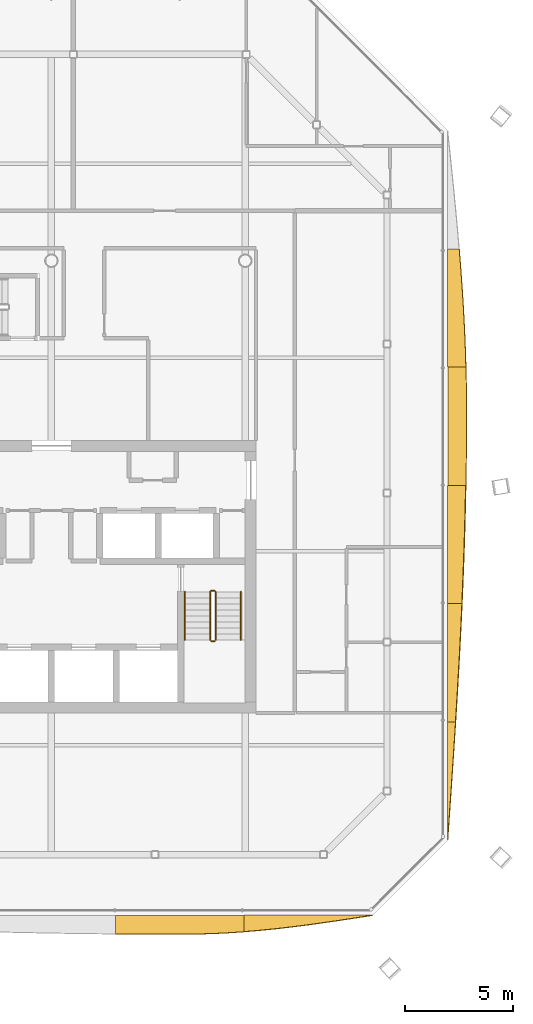
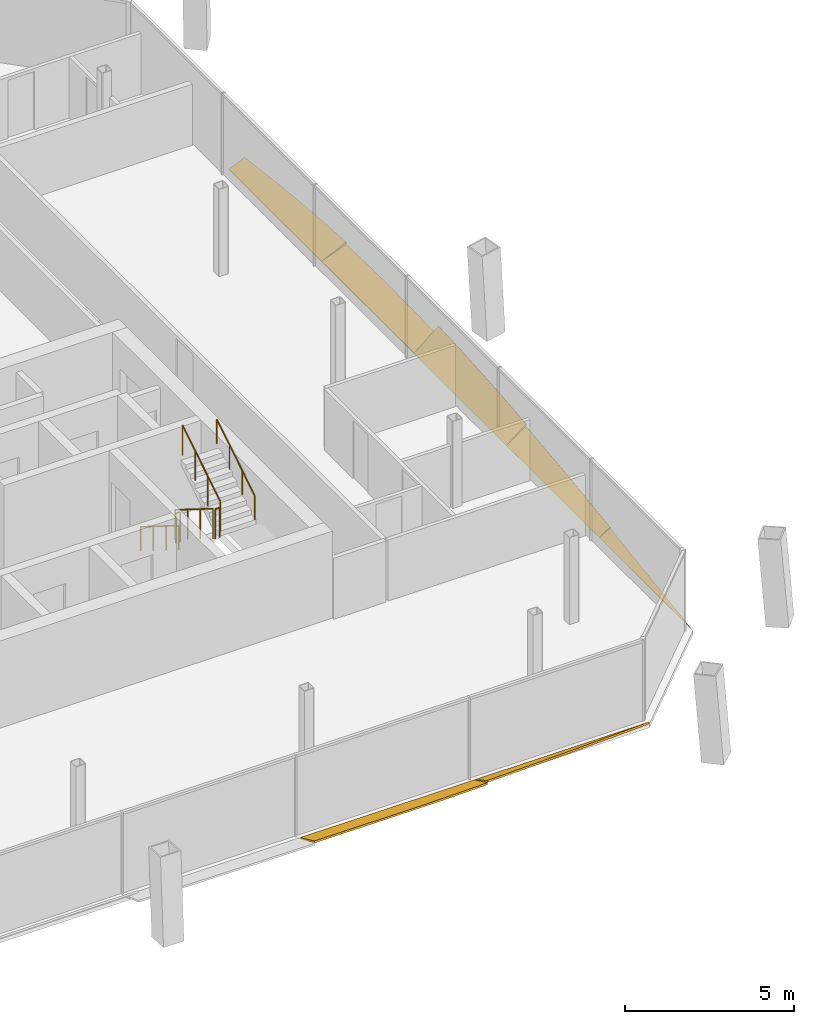
# One storey, part 19 of 20: 7 shading devices, 6 railings.
"""IFC4 building model written with IfcOpenShell, lengths in metres."""

from ifc_helpers import new_model, si_unit, direction, frame, origin, origin_2d, place, context, subcontext, project, spatial, polyline, circle, outline, extrude, material, layer, layer_set, type_object, element, save


model = new_model("IFC4")

# Units and contexts
model_context = context("Model", 3, precision=1e-05, world=origin(), true_north=direction((0.0, 1.0)))
body_context = subcontext(model_context, "Body", "Model", "MODEL_VIEW")
ifc_project = project(units=[si_unit("LENGTHUNIT", "METRE"), si_unit("AREAUNIT", "SQUARE_METRE"), si_unit("VOLUMEUNIT", "CUBIC_METRE"), si_unit("PLANEANGLEUNIT", "RADIAN"), si_unit("MASSUNIT", "GRAM", prefix="KILO")], contexts=[model_context])

# Site, building, storey
site_placement = place(None, origin())
site = spatial("IfcSite", under=ifc_project, at=site_placement, CompositionType="ELEMENT")
building_placement = place(site_placement, origin())
building = spatial("IfcBuilding", under=site, at=building_placement, Name="Tskaro Facet Tower", CompositionType="ELEMENT")
storey_placement = place(building_placement, frame((0.0, 0.0, 178.5)))
storey = spatial("IfcBuildingStorey", under=building, at=storey_placement, Name="L44", CompositionType="ELEMENT", Elevation=178.5)

# Shading devices
ifc_material_1 = material(Name="Bronze anodised aluminium 6063-T6", Category="aluminium")
ifc_layer = layer(ifc_material_1, 0.06005859375, Name="Bronze anodised aluminium 6063-T6")
ifc_layer_set = layer_set([ifc_layer], Name="Bronze anodised aluminium 6063-T6")
shading_device_type = type_object("IfcShadingDeviceType", Name="Bronze sun blade (FN1)", PredefinedType="USERDEFINED", material=ifc_layer_set)
shading_device_1_placement = place(storey_placement, frame((2.968017578125, -21.400634765625, 0.054443359375), z_axis=(-4.21624e-06, 0.422537060283, 0.90634564746), x_axis=(0.999999999991, 1.781518e-06, 3.821371e-06)))
element("IfcShadingDevice", 1, at=shading_device_1_placement, inside=storey, type_object=shading_device_type, Name="Fin blade south 5", ObjectType="FIN", PredefinedType="USERDEFINED", context=body_context, shape_type="SweptSolid", body=[
    extrude(outline(polyline([(0.0, 0.0), (5.968017578071954, 3.791330638848518e-21), (5.968017577877342, -0.8390601814939588), (5.2219238282844795, -0.8943249313763985), (4.476074218420532, -0.9338672483386296), (3.729980468838337, -0.9573477392569584), (3.055664062481291, -0.9643388114145779), (2.9838867187319287, -0.9643388114145779), (2.238037109237418, -0.9632473913192543), (1.4919433593636393, -0.9602975652881063), (0.746093750360589, -0.955489333321134), (-3.8962156723315644e-10, -0.9489408127491923), (0.0, 0.0)])), origin(), (0.0, 0.0, -1.0), 0.06005859375),
])
shading_device_2_placement = place(storey_placement, frame((8.93603515625, -21.39599609375, 0.052001953125), z_axis=(-1.3384997e-05, 0.499988842196, 0.866031845546), x_axis=(0.99999999991, 6.692349e-06, 1.1591833e-05)))
element("IfcShadingDevice", 2, at=shading_device_2_placement, inside=storey, type_object=shading_device_type, Name="Fin blade south 6", ObjectType="FIN", PredefinedType="USERDEFINED", context=body_context, shape_type="SweptSolid", body=[
    extrude(outline(polyline([(0.0, 0.0), (5.968017577590391, 5.0551075184646904e-21), (5.221923827872631, -0.13278758895955695), (4.476074217700657, -0.2632733715284413), (3.7299804692092295, -0.3890661753483575), (2.983886718676386, -0.5082870611407542), (2.2380371101118235, -0.6185448565473357), (1.4919433579186432, -0.7179606222895507), (0.7458496096950322, -0.8051436894425982), (-1.1110107689464612e-09, -0.8780930511394889), (0.0, 0.0)])), origin(), (0.0, 0.0, -1.0), 0.06005859375),
])
shading_device_3_placement = place(storey_placement, frame((18.39599609375, -17.904052734375, 0.052001953125), z_axis=(-0.499901920183, -2.2403458e-05, 0.866082022499), x_axis=(-1.1199532e-05, 0.999999999749, 1.9403233e-05)))
element("IfcShadingDevice", 3, at=shading_device_3_placement, inside=storey, type_object=shading_device_type, Name="Fin blade east 1", ObjectType="FIN", PredefinedType="USERDEFINED", context=body_context, shape_type="SweptSolid", body=[
    extrude(outline(polyline([(0.0, 0.0), (5.489990232997246, 0.0), (5.489990235761283, -0.42516266182726137), (4.803710935830976, -0.37462104029936794), (4.117431639366332, -0.3233230349852302), (3.4311523443644982, -0.27093515371125815), (2.7448730480912116, -0.21766884228377906), (2.0588378884371497, -0.16373554650912003), (1.3725585936266709, -0.10937935912180664), (0.6862792940790747, -0.0549011253672305), (0.0, 0.0)])), origin(), (0.0, 0.0, -1.0), 0.06005859375),
])
shading_device_4_placement = place(storey_placement, frame((18.3916015625, -12.4140625, 0.049072265625), z_axis=(-0.5736839141, -1.1771874e-05, 0.819076776965), x_axis=(-6.753335e-06, 0.999999999931, 9.642069e-06)))
element("IfcShadingDevice", 4, at=shading_device_4_placement, inside=storey, type_object=shading_device_type, Name="Fin blade east 2", ObjectType="FIN", PredefinedType="USERDEFINED", context=body_context, shape_type="SweptSolid", body=[
    extrude(outline(polyline([(0.0, 0.0), (5.489746093369624, 0.0), (5.489746094305395, -0.8152718175409783), (4.803466795952541, -0.7767302793518674), (4.11718749901969, -0.735888684085882), (3.431152344131826, -0.6927470317430224), (2.744873046741456, -0.6477052621558188), (2.058593749122326, -0.600563405408006), (1.372314454333715, -0.5518015505145504), (0.6860351560188168, -0.5013395482930159), (-4.89343206647477e-10, -0.44945751784210386), (0.0, 0.0)])), origin(), (0.0, 0.0, -1.0), 0.06005859375),
])
shading_device_5_placement = place(storey_placement, frame((18.387451171875, -6.92431640625, 0.0458984375), z_axis=(-0.642808372169, 5.733132e-06, 0.766027020826), x_axis=(3.685305e-06, 0.999999999984, -4.391734e-06)))
element("IfcShadingDevice", 5, at=shading_device_5_placement, inside=storey, type_object=shading_device_type, Name="Fin blade east 3", ObjectType="FIN", PredefinedType="USERDEFINED", context=body_context, shape_type="SweptSolid", body=[
    extrude(outline(polyline([(0.0, 0.0), (5.489746093659779, 0.0), (5.489746093199284, -1.1005737220542755), (4.8034667963439635, -1.0827247214049986), (4.1174316407661165, -1.0615931168597237), (3.431152344143552, -1.0373358440561897), (2.7448730471012657, -1.0099529029943968), (2.05859374946679, -0.9797882476277184), (1.3725585940095215, -0.9465280066806765), (0.6862792973350677, -0.9104860514287492), (-1.0037767684522267e-09, -0.8718193175096759), (0.0, 0.0)])), origin(), (0.0, 0.0, -1.0), 0.06005859375),
])
shading_device_6_placement = place(storey_placement, frame((18.405517578125, -1.4345703125, 0.056396484375), z_axis=(-0.342042503949, -6.769424e-06, 0.939684481859), x_axis=(-2.315431e-06, 0.999999999977, 6.361123e-06)))
element("IfcShadingDevice", 6, at=shading_device_6_placement, inside=storey, type_object=shading_device_type, Name="Fin blade east 4", ObjectType="FIN", PredefinedType="USERDEFINED", context=body_context, shape_type="SweptSolid", body=[
    extrude(outline(polyline([(0.0, 0.0), (5.48999023424921, 0.0), (5.48999023499117, -0.899766347226949), (4.803710936684767, -0.9160566444548589), (4.117431639521272, -0.9261729261562099), (3.431152344065977, -0.9298857771742928), (3.359863281567611, -0.9298857771742928), (2.744873046361848, -0.9288011036060712), (2.0588378908418843, -0.9249423439019717), (1.3725585941378005, -0.9184554067480112), (0.6862792974398803, -0.9091108769874802), (1.8283322131732002e-10, -0.8971381697770877), (0.0, 0.0)])), origin(), (0.0, 0.0, -1.0), 0.06005859375),
])
shading_device_7_placement = place(storey_placement, frame((18.400634765625, 4.055419921875, 0.054443359375), z_axis=(-0.422539455645, 3.004821e-06, 0.906344530747), x_axis=(1.269655e-06, 0.999999999995, -2.723403e-06)))
element("IfcShadingDevice", 7, at=shading_device_7_placement, inside=storey, type_object=shading_device_type, Name="Fin blade east 5", ObjectType="FIN", PredefinedType="USERDEFINED", context=body_context, shape_type="SweptSolid", body=[
    extrude(outline(polyline([(0.0, 0.0), (5.489746093725216, 0.0), (5.48974609375816, -0.5893730659282878), (4.803466797126689, -0.6502130334069431), (4.117187499879905, -0.7065692037146292), (3.4311523436626206, -0.758013983237566), (2.7448730469148606, -0.8043260964555504), (2.0585937499516525, -0.8452842678483797), (1.3723144531279128, -0.8805640628490625), (0.6860351561336685, -0.9099442059373958), (-5.1163237078368315e-11, -0.933100262546388), (0.0, 0.0)])), origin(), (0.0, 0.0, -1.0), 0.06005859375),
])

# Railings
ifc_material_2 = material(Name="Stainless steel", Category="steel")
railing_type_1 = type_object("IfcRailingType", Name="RL-GUARD-1100", PredefinedType="GUARDRAIL", material=ifc_material_2)
railing_1_placement = place(storey_placement, frame((7.375, -6.375, 0.175048828125)))
element("IfcRailing", 8, at=railing_1_placement, inside=storey, type_object=railing_type_1, Name="L44 ST-2 stair guard 1", PredefinedType="GUARDRAIL", context=body_context, shape_type="SweptSolid", body=[
    extrude(circle(Radius=0.02392578125, at=origin_2d()), frame((0.0, 0.0, 1.076171875), z_axis=(0.0, -0.848013881152, 0.529974015752), x_axis=(1.0, 0.0, 0.0)), (0.0, 0.0, 1.0), 2.641357421875),
    extrude(circle(Radius=0.02099609375, at=origin_2d()), origin(), (0.0, 0.0, 1.0), 1.052001953125),
    extrude(circle(Radius=0.02099609375, at=origin_2d()), frame((0.0, -0.74658203125, 0.466552734375)), (0.0, 0.0, 1.0), 1.052001953125),
    extrude(circle(Radius=0.02099609375, at=origin_2d()), frame((0.0, -1.493408203125, 0.933349609375)), (0.0, 0.0, 1.0), 1.052001953125),
    extrude(circle(Radius=0.02099609375, at=origin_2d()), frame((0.0, -2.239990234375, 1.39990234375)), (0.0, 0.0, 1.0), 1.052001953125),
])
railing_2_placement = place(storey_placement, frame((7.425048828125, -8.6650390625, 1.574951171875)))
element("IfcRailing", 9, at=railing_2_placement, inside=storey, type_object=railing_type_1, Name="L44 ST-2 stair guard 2", PredefinedType="GUARDRAIL", context=body_context, shape_type="SweptSolid", body=[
    extrude(circle(Radius=0.02392578125, at=origin_2d()), frame((0.0, 0.0, 1.076171875), z_axis=(1.0, 0.0, 0.0), x_axis=(0.0, 1.0, 0.0)), (0.0, 0.0, 1.0), 0.14990234375),
    extrude(circle(Radius=0.02099609375, at=origin_2d()), origin(), (0.0, 0.0, 1.0), 1.052001953125),
    extrude(circle(Radius=0.02099609375, at=origin_2d()), frame((0.14990234375, 0.0, 0.0)), (0.0, 0.0, 1.0), 1.052001953125),
])
railing_3_placement = place(storey_placement, frame((7.625, -8.614990234375, 1.75)))
element("IfcRailing", 10, at=railing_3_placement, inside=storey, type_object=railing_type_1, Name="L44 ST-2 stair guard 3", PredefinedType="GUARDRAIL", context=body_context, shape_type="SweptSolid", body=[
    extrude(circle(Radius=0.02392578125, at=origin_2d()), frame((0.0, 0.0, 1.076171875), z_axis=(0.0, 0.848013881152, 0.529974015752), x_axis=(-1.0, 0.0, 0.0)), (0.0, 0.0, 1.0), 2.641357421875),
    extrude(circle(Radius=0.02099609375, at=origin_2d()), origin(), (0.0, 0.0, 1.0), 1.052001953125),
    extrude(circle(Radius=0.02099609375, at=origin_2d()), frame((0.0, 0.74658203125, 0.466552734375)), (0.0, 0.0, 1.0), 1.052001953125),
    extrude(circle(Radius=0.02099609375, at=origin_2d()), frame((0.0, 1.493408203125, 0.933349609375)), (0.0, 0.0, 1.0), 1.052001953125),
    extrude(circle(Radius=0.02099609375, at=origin_2d()), frame((0.0, 2.239990234375, 1.39990234375)), (0.0, 0.0, 1.0), 1.052001953125),
])
railing_4_placement = place(storey_placement, frame((7.425048828125, -6.324951171875, 0.0)))
element("IfcRailing", 11, at=railing_4_placement, inside=storey, type_object=railing_type_1, Name="L44 ST-2 stair guard 4", PredefinedType="GUARDRAIL", context=body_context, shape_type="SweptSolid", body=[
    extrude(circle(Radius=0.02392578125, at=origin_2d()), frame((0.0, 0.0, 1.076171875), z_axis=(1.0, 0.0, 0.0), x_axis=(0.0, 1.0, 0.0)), (0.0, 0.0, 1.0), 0.14990234375),
    extrude(circle(Radius=0.02099609375, at=origin_2d()), origin(), (0.0, 0.0, 1.0), 1.052001953125),
    extrude(circle(Radius=0.02099609375, at=origin_2d()), frame((0.14990234375, 0.0, 0.0)), (0.0, 0.0, 1.0), 1.052001953125),
])
railing_type_2 = type_object("IfcRailingType", Name="RL-HANDRAIL-900", PredefinedType="HANDRAIL", material=ifc_material_2)
railing_5_placement = place(storey_placement, frame((6.199951171875, -6.375, 0.175048828125)))
element("IfcRailing", 12, at=railing_5_placement, inside=storey, type_object=railing_type_2, Name="L44 ST-2 stair handrail 1", PredefinedType="HANDRAIL", context=body_context, shape_type="SweptSolid", body=[
    extrude(circle(Radius=0.02392578125, at=origin_2d()), frame((0.0, 0.0, 0.8759765625), z_axis=(0.0, -0.848013881152, 0.529974015752), x_axis=(1.0, 0.0, 0.0)), (0.0, 0.0, 1.0), 2.641357421875),
    extrude(circle(Radius=0.02099609375, at=origin_2d()), origin(), (0.0, 0.0, 1.0), 0.851806640625),
    extrude(circle(Radius=0.02099609375, at=origin_2d()), frame((0.0, -0.74658203125, 0.466552734375)), (0.0, 0.0, 1.0), 0.851806640625),
    extrude(circle(Radius=0.02099609375, at=origin_2d()), frame((0.0, -1.493408203125, 0.933349609375)), (0.0, 0.0, 1.0), 0.851806640625),
    extrude(circle(Radius=0.02099609375, at=origin_2d()), frame((0.0, -2.239990234375, 1.39990234375)), (0.0, 0.0, 1.0), 0.851806640625),
])
railing_6_placement = place(storey_placement, frame((8.800048828125, -8.614990234375, 1.75)))
element("IfcRailing", 13, at=railing_6_placement, inside=storey, type_object=railing_type_2, Name="L44 ST-2 stair handrail 2", PredefinedType="HANDRAIL", context=body_context, shape_type="SweptSolid", body=[
    extrude(circle(Radius=0.02392578125, at=origin_2d()), frame((0.0, 0.0, 0.8759765625), z_axis=(0.0, 0.848013881152, 0.529974015752), x_axis=(-1.0, 0.0, 0.0)), (0.0, 0.0, 1.0), 2.641357421875),
    extrude(circle(Radius=0.02099609375, at=origin_2d()), origin(), (0.0, 0.0, 1.0), 0.851806640625),
    extrude(circle(Radius=0.02099609375, at=origin_2d()), frame((0.0, 0.74658203125, 0.466552734375)), (0.0, 0.0, 1.0), 0.851806640625),
    extrude(circle(Radius=0.02099609375, at=origin_2d()), frame((0.0, 1.493408203125, 0.933349609375)), (0.0, 0.0, 1.0), 0.851806640625),
    extrude(circle(Radius=0.02099609375, at=origin_2d()), frame((0.0, 2.239990234375, 1.39990234375)), (0.0, 0.0, 1.0), 0.851806640625),
])

save(model, "model.ifc")
